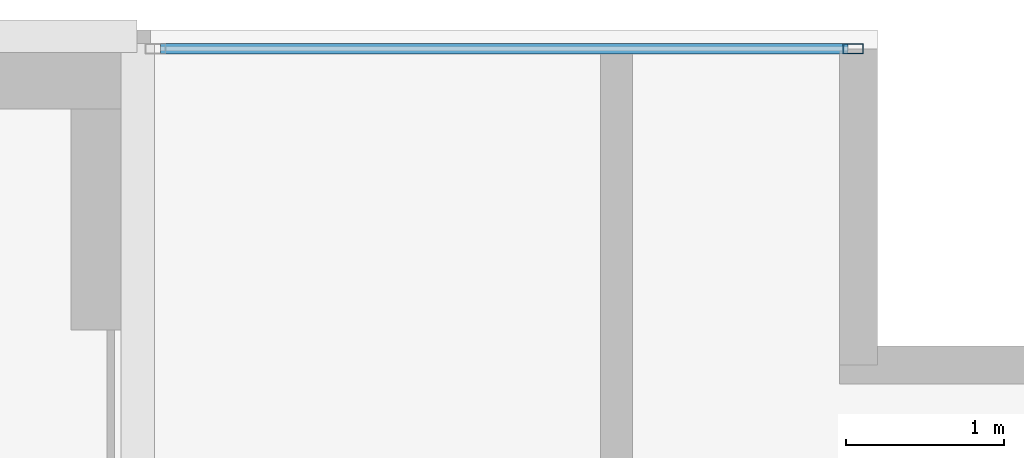
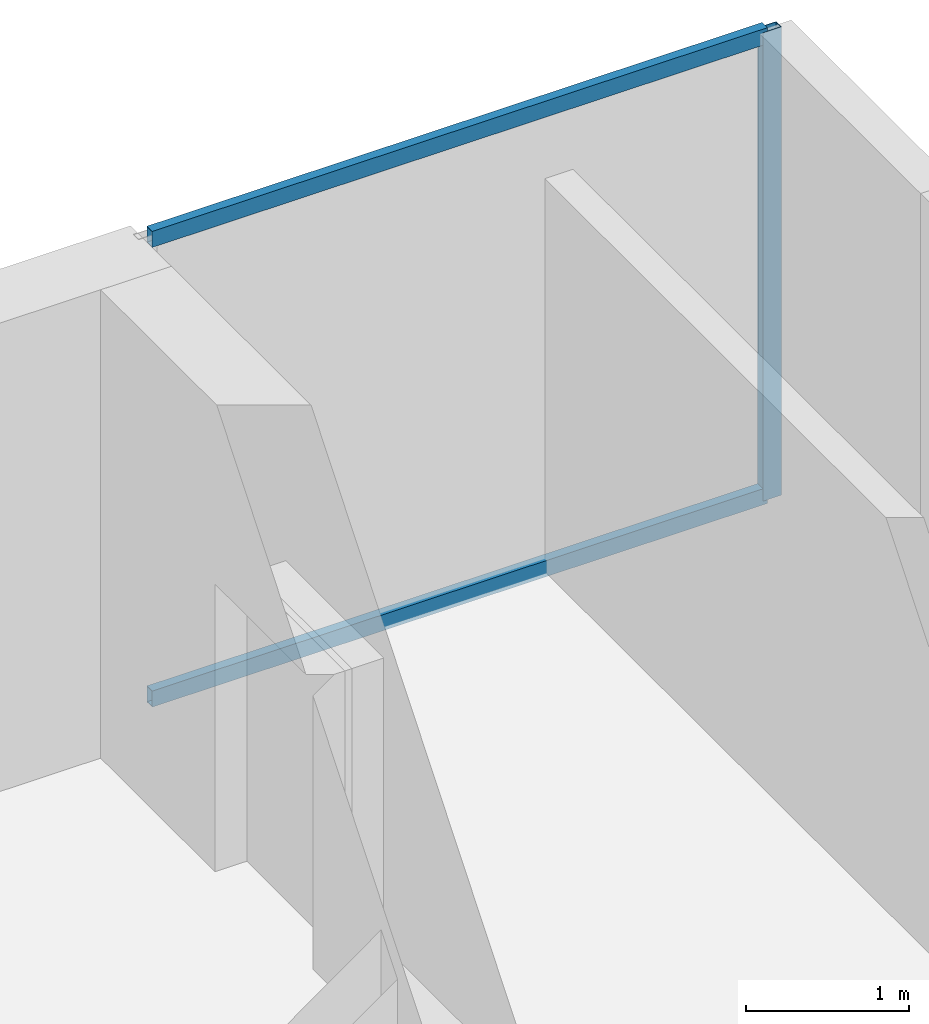
# One storey, part 12 of 15: 3 members, 1 element without a shape of its own.
"""IFC4 building model written with IfcOpenShell, lengths in metres."""

from ifc_helpers import new_model, si_unit, direction, frame, origin, origin_2d, place, context, subcontext, project, spatial, hollow_rectangle, extrude, material, material_profile, profile_set, type_object, element, aggregate, save


model = new_model("IFC4")

# Units and contexts
model_context = context("Model", 3, precision=1e-05, world=origin(), true_north=direction((0.0, 1.0)))
body_context = subcontext(model_context, "Body", "Model", "MODEL_VIEW")
ifc_project = project(units=[si_unit("LENGTHUNIT", "METRE"), si_unit("AREAUNIT", "SQUARE_METRE"), si_unit("VOLUMEUNIT", "CUBIC_METRE"), si_unit("PLANEANGLEUNIT", "RADIAN"), si_unit("MASSUNIT", "GRAM", prefix="KILO")], contexts=[model_context])

# Site, building, storey
site_placement = place(None, origin())
site = spatial("IfcSite", under=ifc_project, at=site_placement, CompositionType="ELEMENT")
building_placement = place(site_placement, origin())
building = spatial("IfcBuilding", under=site, at=building_placement, Name="Cobrela Telecom Tower", CompositionType="ELEMENT")
storey_placement = place(building_placement, frame((0.0, 0.0, 301.35009765625)))
storey = spatial("IfcBuildingStorey", under=building, at=storey_placement, Name="L79", CompositionType="ELEMENT", Elevation=301.35009765625)

# Curtain wall, members
ifc_material = material(Name="Anodized Bronze Aluminium 6063-T6", Category="aluminium")
curtain_wall_type = type_object("IfcCurtainWallType", Name="CW-SYS-DRUM", PredefinedType="USERDEFINED", material=ifc_material)
curtain_wall_placement = place(storey_placement, origin())
curtain_wall = element("IfcCurtainWall", 1, at=curtain_wall_placement, inside=storey, type_object=curtain_wall_type, Name="L79 Unitised Bronze Curtain Wall 01", ObjectType="UNITISED CURTAIN WALL", PredefinedType="USERDEFINED")
ifc_material_profile_1 = material_profile(ifc_material, hollow_rectangle(XDim=0.06494140625, YDim=0.1298828125, WallThickness=0.00390625, at=origin_2d()), Name="ALU 65x130x4")
ifc_profile_set_1 = profile_set([ifc_material_profile_1], Name="Anodized Bronze Aluminium 6063-T6")
member_type_1 = type_object("IfcMemberType", Name="CW-SYS-DRUM-MUL", PredefinedType="MULLION", material=ifc_profile_set_1)
member_1_placement = place(storey_placement, frame((18.847412109375, 35.8798828125, 0.0), z_axis=(0.0, 0.0, 1.0), x_axis=(0.0, 1.0, 0.0)))
member_1 = element("IfcMember", 2, at=member_1_placement, type_object=member_type_1, Name="CW-DRUM mullion 2", PredefinedType="MULLION", context=body_context, shape_type="SweptSolid", body=[
    extrude(hollow_rectangle(XDim=0.06494140625, YDim=0.1298828125, WallThickness=0.00390625, at=origin_2d()), origin(), (0.0, 0.0, 1.0), 3.5),
])
ifc_material_profile_2 = material_profile(ifc_material, hollow_rectangle(XDim=0.06494140625, YDim=0.1201171875, WallThickness=0.00390625, at=origin_2d()), Name="ALU 65x120x4")
ifc_profile_set_2 = profile_set([ifc_material_profile_2], Name="Anodized Bronze Aluminium 6063-T6")
member_type_2 = type_object("IfcMemberType", Name="CW-SYS-DRUM-TRN", PredefinedType="USERDEFINED", material=ifc_profile_set_2)
member_2_placement = place(storey_placement, frame((14.465087890625, 35.8798828125, 0.032470703125), z_axis=(1.0, 0.0, 0.0), x_axis=(0.0, 1.0, 0.0)))
member_2 = element("IfcMember", 3, at=member_2_placement, type_object=member_type_2, Name="CW-DRUM transom 1.1", ObjectType="TRANSOM", PredefinedType="USERDEFINED", context=body_context, shape_type="SweptSolid", body=[
    extrude(hollow_rectangle(XDim=0.06494140625, YDim=0.1201171875, WallThickness=0.00390625, at=origin_2d()), origin(), (0.0, 0.0, 1.0), 4.349853515625),
])
member_3_placement = place(storey_placement, frame((14.465087890625, 35.8798828125, 3.46728515625), z_axis=(1.0, 0.0, 0.0), x_axis=(0.0, 1.0, 0.0)))
member_3 = element("IfcMember", 4, at=member_3_placement, type_object=member_type_2, Name="CW-DRUM transom 1.2", ObjectType="TRANSOM", PredefinedType="USERDEFINED", context=body_context, shape_type="SweptSolid", body=[
    extrude(hollow_rectangle(XDim=0.06494140625, YDim=0.1201171875, WallThickness=0.00390625, at=origin_2d()), origin(), (0.0, 0.0, 1.0), 4.349853515625),
])
aggregate(curtain_wall, [member_1, member_2, member_3])

save(model, "model.ifc")
